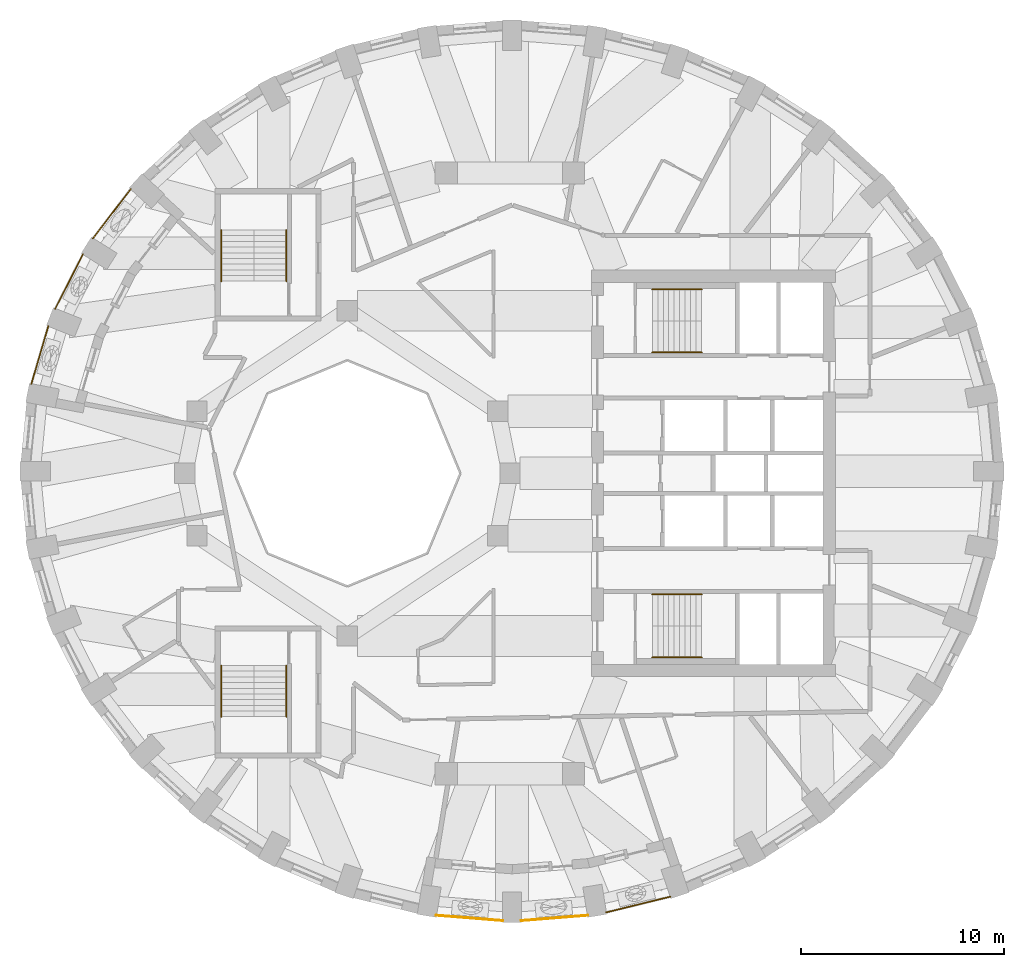
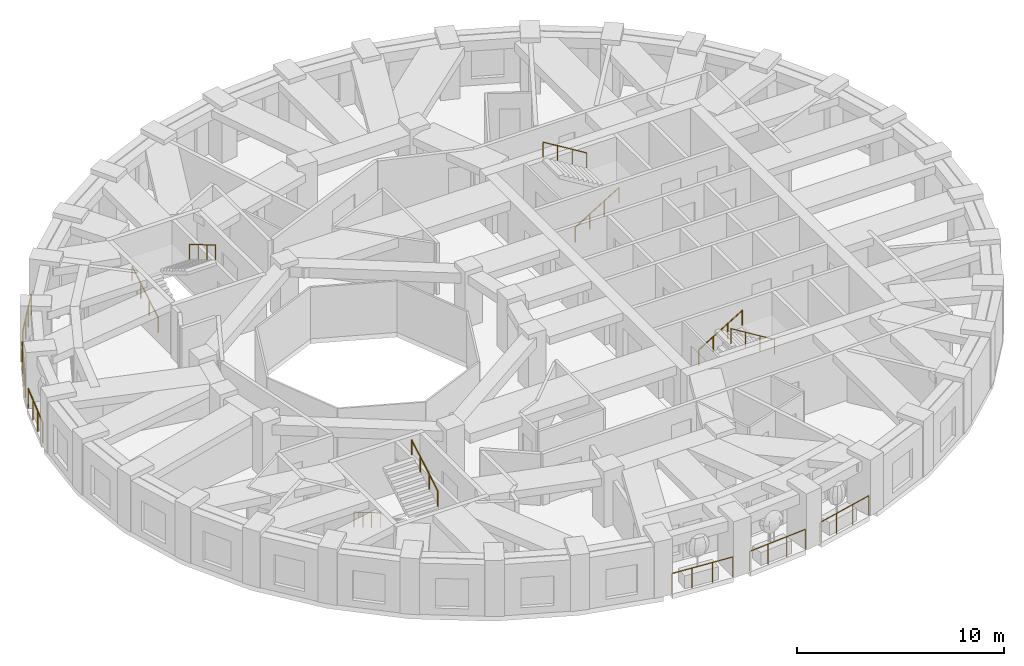
# One storey, part 9 of 11: 14 railings.
"""IFC4 building model written with IfcOpenShell, lengths in metres."""

from ifc_helpers import new_model, si_unit, direction, frame, origin, origin_2d, place, context, subcontext, project, spatial, circle, extrude, material, type_object, element, save


model = new_model("IFC4")

# Units and contexts
model_context = context("Model", 3, precision=1e-05, world=origin(), true_north=direction((0.0, 1.0)))
body_context = subcontext(model_context, "Body", "Model", "MODEL_VIEW")
ifc_project = project(units=[si_unit("LENGTHUNIT", "METRE"), si_unit("AREAUNIT", "SQUARE_METRE"), si_unit("VOLUMEUNIT", "CUBIC_METRE"), si_unit("PLANEANGLEUNIT", "RADIAN"), si_unit("MASSUNIT", "GRAM", prefix="KILO")], contexts=[model_context])

# Site, building, storey
site_placement = place(None, origin())
site = spatial("IfcSite", under=ifc_project, at=site_placement, CompositionType="ELEMENT")
building_placement = place(site_placement, origin())
building = spatial("IfcBuilding", under=site, at=building_placement, Name="Taillehof Tower", CompositionType="ELEMENT")
storey_placement = place(building_placement, frame((0.0, 0.0, 158.300048828125)))
storey = spatial("IfcBuildingStorey", under=building, at=storey_placement, Name="L44", CompositionType="ELEMENT", Elevation=158.300048828125)

# Railings
ifc_material_1 = material(Name="Stainless steel balustrade", Category="steel")
railing_type_1 = type_object("IfcRailingType", Name="Balcony guard 1200", PredefinedType="GUARDRAIL", material=ifc_material_1)
railing_1_placement = place(storey_placement, frame((-3.627197265625, -21.741455078125, 0.0)))
element("IfcRailing", 1, at=railing_1_placement, inside=storey, type_object=railing_type_1, Name="Balcony guard L44 bay 27", PredefinedType="GUARDRAIL", context=body_context, shape_type="SweptSolid", body=[
    extrude(circle(Radius=0.02392578125, at=origin_2d()), frame((0.0, 0.0, 1.17578125), z_axis=(0.996810783879, -0.079801385593, 0.0), x_axis=(0.079801385593, 0.996810783879, 0.0)), (0.0, 0.0, 1.0), 3.28271484375),
    extrude(circle(Radius=0.02099609375, at=origin_2d()), origin(), (0.0, 0.0, 1.0), 1.15185546875),
    extrude(circle(Radius=0.02099609375, at=origin_2d()), frame((1.0908203125, -0.08740234375, 0.0)), (0.0, 0.0, 1.0), 1.15185546875),
    extrude(circle(Radius=0.02099609375, at=origin_2d()), frame((2.181396484375, -0.174560546875, 0.0)), (0.0, 0.0, 1.0), 1.15185546875),
    extrude(circle(Radius=0.02099609375, at=origin_2d()), frame((3.272216796875, -0.261962890625, 0.0)), (0.0, 0.0, 1.0), 1.15185546875),
])
railing_2_placement = place(storey_placement, frame((0.55517578125, -22.00341796875, 0.0)))
element("IfcRailing", 2, at=railing_2_placement, inside=storey, type_object=railing_type_1, Name="Balcony guard L44 bay 28", PredefinedType="GUARDRAIL", context=body_context, shape_type="SweptSolid", body=[
    extrude(circle(Radius=0.02392578125, at=origin_2d()), frame((0.0, 0.0, 1.17578125), z_axis=(0.996810310205, 0.079807302108, 0.0), x_axis=(-0.079807302108, 0.996810310205, 0.0)), (0.0, 0.0, 1.0), 3.282470703125),
    extrude(circle(Radius=0.02099609375, at=origin_2d()), origin(), (0.0, 0.0, 1.0), 1.15185546875),
    extrude(circle(Radius=0.02099609375, at=origin_2d()), frame((1.090576171875, 0.08740234375, 0.0)), (0.0, 0.0, 1.0), 1.15185546875),
    extrude(circle(Radius=0.02099609375, at=origin_2d()), frame((2.181396484375, 0.174560546875, 0.0)), (0.0, 0.0, 1.0), 1.15185546875),
    extrude(circle(Radius=0.02099609375, at=origin_2d()), frame((3.27197265625, 0.261962890625, 0.0)), (0.0, 0.0, 1.0), 1.15185546875),
])
railing_3_placement = place(storey_placement, frame((4.7255859375, -21.596435546875, 0.0)))
element("IfcRailing", 3, at=railing_3_placement, inside=storey, type_object=railing_type_1, Name="Balcony guard L44 bay 29", PredefinedType="GUARDRAIL", context=body_context, shape_type="SweptSolid", body=[
    extrude(circle(Radius=0.02392578125, at=origin_2d()), frame((0.0, 0.0, 1.17578125), z_axis=(0.971236963408, 0.238115016139, 0.0), x_axis=(-0.238115016139, 0.971236963408, 0.0)), (0.0, 0.0, 1.0), 3.263427734375),
    extrude(circle(Radius=0.02099609375, at=origin_2d()), origin(), (0.0, 0.0, 1.0), 1.15185546875),
    extrude(circle(Radius=0.02099609375, at=origin_2d()), frame((1.056640625, 0.259033203125, 0.0)), (0.0, 0.0, 1.0), 1.15185546875),
    extrude(circle(Radius=0.02099609375, at=origin_2d()), frame((2.113037109375, 0.51806640625, 0.0)), (0.0, 0.0, 1.0), 1.15185546875),
    extrude(circle(Radius=0.02099609375, at=origin_2d()), frame((3.169677734375, 0.777099609375, 0.0)), (0.0, 0.0, 1.0), 1.15185546875),
])
railing_4_placement = place(storey_placement, frame((-18.650390625, 13.990478515625, 0.0)))
element("IfcRailing", 4, at=railing_4_placement, inside=storey, type_object=railing_type_1, Name="Balcony guard L44 bay 15", PredefinedType="GUARDRAIL", context=body_context, shape_type="SweptSolid", body=[
    extrude(circle(Radius=0.02392578125, at=origin_2d()), frame((0.0, 0.0, 1.17578125), z_axis=(-0.607804631475, -0.794086601044, 0.0), x_axis=(0.794086601044, -0.607804631475, 0.0)), (0.0, 0.0, 1.0), 3.06689453125),
    extrude(circle(Radius=0.02099609375, at=origin_2d()), origin(), (0.0, 0.0, 1.0), 1.15185546875),
    extrude(circle(Radius=0.02099609375, at=origin_2d()), frame((-0.621337890625, -0.811767578125, 0.0)), (0.0, 0.0, 1.0), 1.15185546875),
    extrude(circle(Radius=0.02099609375, at=origin_2d()), frame((-1.24267578125, -1.62353515625, 0.0)), (0.0, 0.0, 1.0), 1.15185546875),
    extrude(circle(Radius=0.02099609375, at=origin_2d()), frame((-1.864013671875, -2.435302734375, 0.0)), (0.0, 0.0, 1.0), 1.15185546875),
])
railing_5_placement = place(storey_placement, frame((-20.99951171875, 10.785400390625, 0.0)))
element("IfcRailing", 5, at=railing_5_placement, inside=storey, type_object=railing_type_1, Name="Balcony guard L44 bay 16", PredefinedType="GUARDRAIL", context=body_context, shape_type="SweptSolid", body=[
    extrude(circle(Radius=0.02392578125, at=origin_2d()), frame((0.0, 0.0, 1.17578125), z_axis=(-0.454128245329, -0.890936325892, 0.0), x_axis=(0.890936325892, -0.454128245329, 0.0)), (0.0, 0.0, 1.0), 3.0166015625),
    extrude(circle(Radius=0.02099609375, at=origin_2d()), origin(), (0.0, 0.0, 1.0), 1.15185546875),
    extrude(circle(Radius=0.02099609375, at=origin_2d()), frame((-0.45654296875, -0.895751953125, 0.0)), (0.0, 0.0, 1.0), 1.15185546875),
    extrude(circle(Radius=0.02099609375, at=origin_2d()), frame((-0.913330078125, -1.791748046875, 0.0)), (0.0, 0.0, 1.0), 1.15185546875),
    extrude(circle(Radius=0.02099609375, at=origin_2d()), frame((-1.369873046875, -2.6875, 0.0)), (0.0, 0.0, 1.0), 1.15185546875),
])
railing_6_placement = place(storey_placement, frame((-22.705322265625, 7.252197265625, 0.0)))
element("IfcRailing", 6, at=railing_6_placement, inside=storey, type_object=railing_type_1, Name="Balcony guard L44 bay 17", PredefinedType="GUARDRAIL", context=body_context, shape_type="SweptSolid", body=[
    extrude(circle(Radius=0.02392578125, at=origin_2d()), frame((0.0, 0.0, 1.17578125), z_axis=(-0.28104789837, -0.959693742202, 0.0), x_axis=(0.959693742202, -0.28104789837, 0.0)), (0.0, 0.0, 1.0), 2.978759765625),
    extrude(circle(Radius=0.02099609375, at=origin_2d()), origin(), (0.0, 0.0, 1.0), 1.15185546875),
    extrude(circle(Radius=0.02099609375, at=origin_2d()), frame((-0.279052734375, -0.952880859375, 0.0)), (0.0, 0.0, 1.0), 1.15185546875),
    extrude(circle(Radius=0.02099609375, at=origin_2d()), frame((-0.55810546875, -1.90576171875, 0.0)), (0.0, 0.0, 1.0), 1.15185546875),
    extrude(circle(Radius=0.02099609375, at=origin_2d()), frame((-0.837158203125, -2.858642578125, 0.0)), (0.0, 0.0, 1.0), 1.15185546875),
])
ifc_material_2 = material(Name="Stainless steel", Category="steel")
railing_type_2 = type_object("IfcRailingType", Name="Stair handrail 900", PredefinedType="HANDRAIL", material=ifc_material_2)
railing_7_placement = place(storey_placement, frame((7.0, 5.949951171875, 0.1650390625)))
element("IfcRailing", 7, at=railing_7_placement, inside=storey, type_object=railing_type_2, Name="Stair S1 handrail", PredefinedType="HANDRAIL", context=body_context, shape_type="SweptSolid", body=[
    extrude(circle(Radius=0.02392578125, at=origin_2d()), frame((0.0, 0.0, 0.8759765625), z_axis=(0.853296667938, 0.0, 0.521425734392), x_axis=(0.0, 1.0, 0.0)), (0.0, 0.0, 1.0), 2.84765625),
    extrude(circle(Radius=0.02099609375, at=origin_2d()), origin(), (0.0, 0.0, 1.0), 0.851806640625),
    extrude(circle(Radius=0.02099609375, at=origin_2d()), frame((0.81005859375, 0.0, 0.494873046875)), (0.0, 0.0, 1.0), 0.851806640625),
    extrude(circle(Radius=0.02099609375, at=origin_2d()), frame((1.619873046875, 0.0, 0.989990234375)), (0.0, 0.0, 1.0), 0.851806640625),
    extrude(circle(Radius=0.02099609375, at=origin_2d()), frame((2.429931640625, 0.0, 1.48486328125)), (0.0, 0.0, 1.0), 0.851806640625),
])
railing_8_placement = place(storey_placement, frame((9.429931640625, 9.050048828125, 1.81494140625)))
element("IfcRailing", 8, at=railing_8_placement, inside=storey, type_object=railing_type_2, Name="Stair S1 handrail", PredefinedType="HANDRAIL", context=body_context, shape_type="SweptSolid", body=[
    extrude(circle(Radius=0.02392578125, at=origin_2d()), frame((0.0, 0.0, 0.8759765625), z_axis=(-0.853258522278, 0.0, 0.521488153423), x_axis=(0.0, -1.0, 0.0)), (0.0, 0.0, 1.0), 2.847900390625),
    extrude(circle(Radius=0.02099609375, at=origin_2d()), origin(), (0.0, 0.0, 1.0), 0.851806640625),
    extrude(circle(Radius=0.02099609375, at=origin_2d()), frame((-0.81005859375, 0.0, 0.4951171875)), (0.0, 0.0, 1.0), 0.851806640625),
    extrude(circle(Radius=0.02099609375, at=origin_2d()), frame((-1.619873046875, 0.0, 0.989990234375)), (0.0, 0.0, 1.0), 0.851806640625),
    extrude(circle(Radius=0.02099609375, at=origin_2d()), frame((-2.429931640625, 0.0, 1.485107421875)), (0.0, 0.0, 1.0), 0.851806640625),
])
railing_9_placement = place(storey_placement, frame((7.0, -5.949951171875, 0.1650390625)))
element("IfcRailing", 9, at=railing_9_placement, inside=storey, type_object=railing_type_2, Name="Stair S2 handrail", PredefinedType="HANDRAIL", context=body_context, shape_type="SweptSolid", body=[
    extrude(circle(Radius=0.02392578125, at=origin_2d()), frame((0.0, 0.0, 0.8759765625), z_axis=(0.853296667938, 0.0, 0.521425734392), x_axis=(0.0, 1.0, 0.0)), (0.0, 0.0, 1.0), 2.84765625),
    extrude(circle(Radius=0.02099609375, at=origin_2d()), origin(), (0.0, 0.0, 1.0), 0.851806640625),
    extrude(circle(Radius=0.02099609375, at=origin_2d()), frame((0.81005859375, 0.0, 0.494873046875)), (0.0, 0.0, 1.0), 0.851806640625),
    extrude(circle(Radius=0.02099609375, at=origin_2d()), frame((1.619873046875, 0.0, 0.989990234375)), (0.0, 0.0, 1.0), 0.851806640625),
    extrude(circle(Radius=0.02099609375, at=origin_2d()), frame((2.429931640625, 0.0, 1.48486328125)), (0.0, 0.0, 1.0), 0.851806640625),
])
railing_10_placement = place(storey_placement, frame((9.429931640625, -9.050048828125, 1.81494140625)))
element("IfcRailing", 10, at=railing_10_placement, inside=storey, type_object=railing_type_2, Name="Stair S2 handrail", PredefinedType="HANDRAIL", context=body_context, shape_type="SweptSolid", body=[
    extrude(circle(Radius=0.02392578125, at=origin_2d()), frame((0.0, 0.0, 0.8759765625), z_axis=(-0.853258522278, 0.0, 0.521488153423), x_axis=(0.0, -1.0, 0.0)), (0.0, 0.0, 1.0), 2.847900390625),
    extrude(circle(Radius=0.02099609375, at=origin_2d()), origin(), (0.0, 0.0, 1.0), 0.851806640625),
    extrude(circle(Radius=0.02099609375, at=origin_2d()), frame((-0.81005859375, 0.0, 0.4951171875)), (0.0, 0.0, 1.0), 0.851806640625),
    extrude(circle(Radius=0.02099609375, at=origin_2d()), frame((-1.619873046875, 0.0, 0.989990234375)), (0.0, 0.0, 1.0), 0.851806640625),
    extrude(circle(Radius=0.02099609375, at=origin_2d()), frame((-2.429931640625, 0.0, 1.485107421875)), (0.0, 0.0, 1.0), 0.851806640625),
])
railing_11_placement = place(storey_placement, frame((-14.199951171875, 9.449951171875, 0.1650390625)))
element("IfcRailing", 11, at=railing_11_placement, inside=storey, type_object=railing_type_2, Name="Stair S3 handrail", PredefinedType="HANDRAIL", context=body_context, shape_type="SweptSolid", body=[
    extrude(circle(Radius=0.02392578125, at=origin_2d()), frame((0.0, 0.0, 0.8759765625), z_axis=(0.0, 0.861560626758, 0.507654692109), x_axis=(-1.0, 0.0, 0.0)), (0.0, 0.0, 1.0), 2.925048828125),
    extrude(circle(Radius=0.02099609375, at=origin_2d()), origin(), (0.0, 0.0, 1.0), 0.851806640625),
    extrude(circle(Radius=0.02099609375, at=origin_2d()), frame((0.0, 0.840087890625, 0.494873046875)), (0.0, 0.0, 1.0), 0.851806640625),
    extrude(circle(Radius=0.02099609375, at=origin_2d()), frame((0.0, 1.679931640625, 0.989990234375)), (0.0, 0.0, 1.0), 0.851806640625),
    extrude(circle(Radius=0.02099609375, at=origin_2d()), frame((0.0, 2.52001953125, 1.48486328125)), (0.0, 0.0, 1.0), 0.851806640625),
])
railing_12_placement = place(storey_placement, frame((-11.0, 11.969970703125, 1.81494140625)))
element("IfcRailing", 12, at=railing_12_placement, inside=storey, type_object=railing_type_2, Name="Stair S3 handrail", PredefinedType="HANDRAIL", context=body_context, shape_type="SweptSolid", body=[
    extrude(circle(Radius=0.02392578125, at=origin_2d()), frame((0.0, 0.0, 0.8759765625), z_axis=(0.0, -0.86152411907, 0.507716645641), x_axis=(1.0, 0.0, 0.0)), (0.0, 0.0, 1.0), 2.925048828125),
    extrude(circle(Radius=0.02099609375, at=origin_2d()), origin(), (0.0, 0.0, 1.0), 0.851806640625),
    extrude(circle(Radius=0.02099609375, at=origin_2d()), frame((0.0, -0.840087890625, 0.4951171875)), (0.0, 0.0, 1.0), 0.851806640625),
    extrude(circle(Radius=0.02099609375, at=origin_2d()), frame((0.0, -1.679931640625, 0.989990234375)), (0.0, 0.0, 1.0), 0.851806640625),
    extrude(circle(Radius=0.02099609375, at=origin_2d()), frame((0.0, -2.52001953125, 1.485107421875)), (0.0, 0.0, 1.0), 0.851806640625),
])
railing_13_placement = place(storey_placement, frame((-14.199951171875, -9.449951171875, 0.1650390625)))
element("IfcRailing", 13, at=railing_13_placement, inside=storey, type_object=railing_type_2, Name="Stair S4 handrail", PredefinedType="HANDRAIL", context=body_context, shape_type="SweptSolid", body=[
    extrude(circle(Radius=0.02392578125, at=origin_2d()), frame((0.0, 0.0, 0.8759765625), z_axis=(0.0, -0.861560626758, 0.507654692109), x_axis=(1.0, 0.0, 0.0)), (0.0, 0.0, 1.0), 2.925048828125),
    extrude(circle(Radius=0.02099609375, at=origin_2d()), origin(), (0.0, 0.0, 1.0), 0.851806640625),
    extrude(circle(Radius=0.02099609375, at=origin_2d()), frame((0.0, -0.840087890625, 0.494873046875)), (0.0, 0.0, 1.0), 0.851806640625),
    extrude(circle(Radius=0.02099609375, at=origin_2d()), frame((0.0, -1.679931640625, 0.989990234375)), (0.0, 0.0, 1.0), 0.851806640625),
    extrude(circle(Radius=0.02099609375, at=origin_2d()), frame((0.0, -2.52001953125, 1.48486328125)), (0.0, 0.0, 1.0), 0.851806640625),
])
railing_14_placement = place(storey_placement, frame((-11.0, -11.969970703125, 1.81494140625)))
element("IfcRailing", 14, at=railing_14_placement, inside=storey, type_object=railing_type_2, Name="Stair S4 handrail", PredefinedType="HANDRAIL", context=body_context, shape_type="SweptSolid", body=[
    extrude(circle(Radius=0.02392578125, at=origin_2d()), frame((0.0, 0.0, 0.8759765625), z_axis=(0.0, 0.86152411907, 0.507716645641), x_axis=(-1.0, 0.0, 0.0)), (0.0, 0.0, 1.0), 2.925048828125),
    extrude(circle(Radius=0.02099609375, at=origin_2d()), origin(), (0.0, 0.0, 1.0), 0.851806640625),
    extrude(circle(Radius=0.02099609375, at=origin_2d()), frame((0.0, 0.840087890625, 0.4951171875)), (0.0, 0.0, 1.0), 0.851806640625),
    extrude(circle(Radius=0.02099609375, at=origin_2d()), frame((0.0, 1.679931640625, 0.989990234375)), (0.0, 0.0, 1.0), 0.851806640625),
    extrude(circle(Radius=0.02099609375, at=origin_2d()), frame((0.0, 2.52001953125, 1.485107421875)), (0.0, 0.0, 1.0), 0.851806640625),
])

save(model, "model.ifc")
